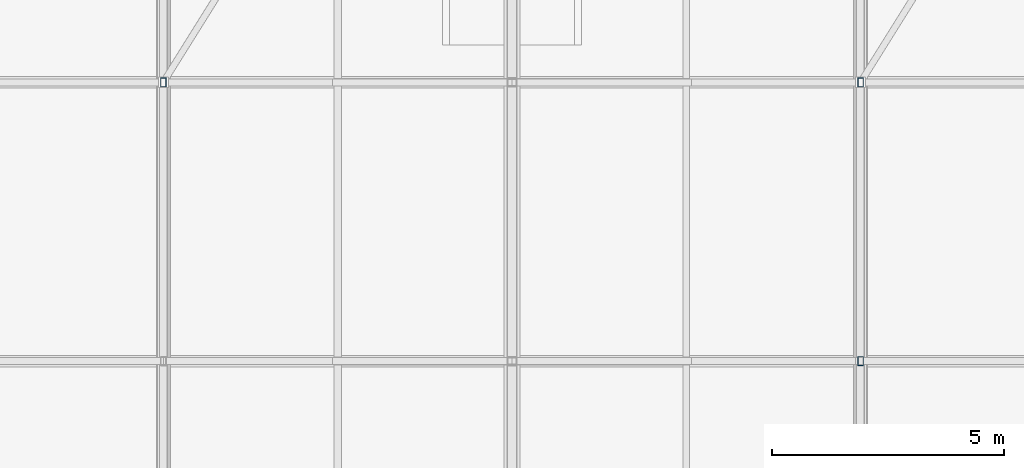
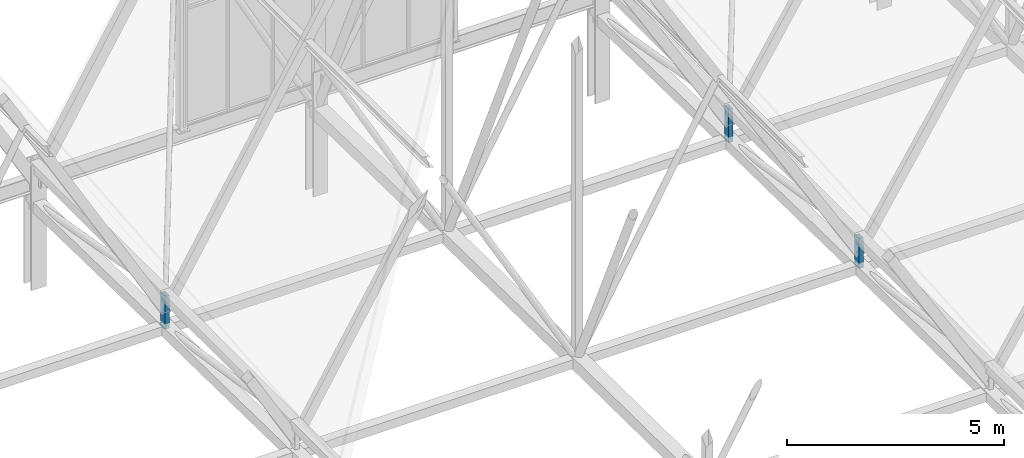
# One storey, part 261 of 324: 3 members.
"""IFC4 building model written with IfcOpenShell, lengths in metres."""

from ifc_helpers import new_model, si_unit, direction, frame, origin, origin_2d, place, context, subcontext, project, spatial, hollow_rectangle, extrude, material, material_profile, profile_set, type_object, element, save


model = new_model("IFC4")

# Units and contexts
model_context = context("Model", 3, precision=1e-05, world=origin(), true_north=direction((0.0, 1.0)))
body_context = subcontext(model_context, "Body", "Model", "MODEL_VIEW")
ifc_project = project(units=[si_unit("LENGTHUNIT", "METRE"), si_unit("AREAUNIT", "SQUARE_METRE"), si_unit("VOLUMEUNIT", "CUBIC_METRE"), si_unit("PLANEANGLEUNIT", "RADIAN"), si_unit("MASSUNIT", "GRAM", prefix="KILO")], contexts=[model_context])

# Site, building, storey
site_placement = place(None, origin())
site = spatial("IfcSite", under=ifc_project, at=site_placement, CompositionType="ELEMENT")
building_placement = place(site_placement, origin())
building = spatial("IfcBuilding", under=site, at=building_placement, Name="Solvenia Promenade Tram Depot", CompositionType="ELEMENT")
storey_placement = place(building_placement, frame((0.0, 0.0, 4.5)))
storey = spatial("IfcBuildingStorey", under=building, at=storey_placement, Name="L01", CompositionType="ELEMENT", Elevation=4.5)

# Members
ifc_material = material(Name="Structural steel ASTM A500 Gr. C", Category="steel")
ifc_material_profile = material_profile(ifc_material, hollow_rectangle(XDim=0.1201171875, YDim=0.199951171875, WallThickness=0.008056640625, at=origin_2d()), Name="HSS200x120x8", Category="steel")
ifc_profile_set = profile_set([ifc_material_profile], Name="Structural steel ASTM A500 Gr. C")
member_type = type_object("IfcMemberType", Name="Post-HSS200x120x8", PredefinedType="POST", material=ifc_profile_set)
member_1_placement = place(storey_placement, frame((105.0, 120.0, 2.446044921875), z_axis=(0.0, 0.0, 1.0), x_axis=(1.0, 0.0, 0.0)))
element("IfcMember", 1, at=member_1_placement, inside=storey, type_object=member_type, Name="Arched Truss T15 Web Post S09", PredefinedType="POST", context=body_context, shape_type="SweptSolid", body=[
    extrude(hollow_rectangle(XDim=0.1201171875, YDim=0.199951171875, WallThickness=0.008056640625, at=origin_2d()), origin(), (0.0, 0.0, 1.0), 0.933837890625),
])
member_2_placement = place(storey_placement, frame((120.0, 114.0, 2.5439453125), z_axis=(0.0, 0.0, 1.0), x_axis=(1.0, 0.0, 0.0)))
element("IfcMember", 2, at=member_2_placement, inside=storey, type_object=member_type, Name="Arched Truss T17 Web Post S08", PredefinedType="POST", context=body_context, shape_type="SweptSolid", body=[
    extrude(hollow_rectangle(XDim=0.1201171875, YDim=0.199951171875, WallThickness=0.008056640625, at=origin_2d()), origin(), (0.0, 0.0, 1.0), 0.8359375),
])
member_3_placement = place(storey_placement, frame((120.0, 120.0, 2.446044921875), z_axis=(0.0, 0.0, 1.0), x_axis=(1.0, 0.0, 0.0)))
element("IfcMember", 3, at=member_3_placement, inside=storey, type_object=member_type, Name="Arched Truss T17 Web Post S09", PredefinedType="POST", context=body_context, shape_type="SweptSolid", body=[
    extrude(hollow_rectangle(XDim=0.1201171875, YDim=0.199951171875, WallThickness=0.008056640625, at=origin_2d()), origin(), (0.0, 0.0, 1.0), 0.933837890625),
])

save(model, "model.ifc")
